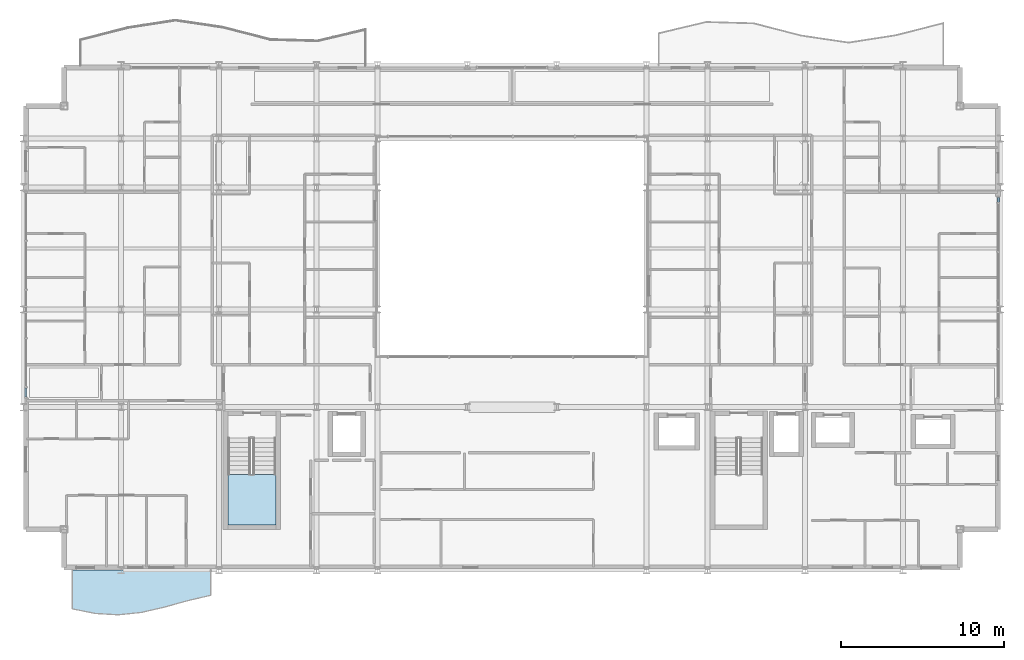
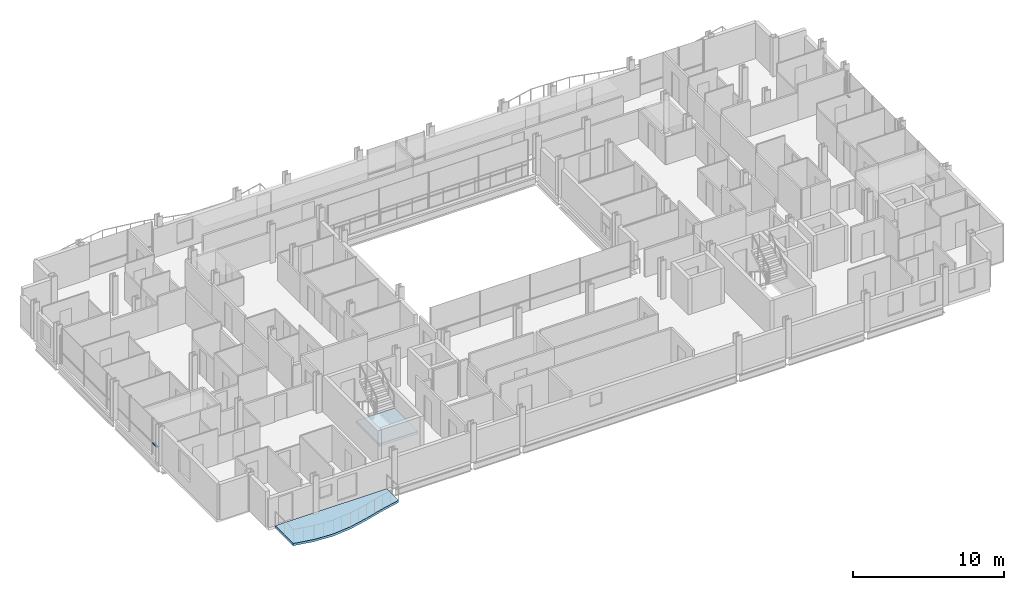
# One storey, part 25 of 41: 2 members, 2 slabs, 3 elements without a shape of their own.
"""IFC4 building model written with IfcOpenShell, lengths in metres."""

from ifc_helpers import new_model, si_unit, direction, frame, origin, origin_2d, place, context, subcontext, project, spatial, polyline, hollow_rectangle, outline, extrude, material, layer, layer_set, material_profile, profile_set, type_object, element, aggregate, save


model = new_model("IFC4")

# Units and contexts
model_context = context("Model", 3, precision=1e-05, world=origin(), true_north=direction((0.0, 1.0)))
body_context = subcontext(model_context, "Body", "Model", "MODEL_VIEW")
ifc_project = project(units=[si_unit("LENGTHUNIT", "METRE"), si_unit("AREAUNIT", "SQUARE_METRE"), si_unit("VOLUMEUNIT", "CUBIC_METRE"), si_unit("PLANEANGLEUNIT", "RADIAN"), si_unit("MASSUNIT", "GRAM", prefix="KILO")], contexts=[model_context])

# Site, building, storey
site_placement = place(None, origin())
site = spatial("IfcSite", under=ifc_project, at=site_placement, CompositionType="ELEMENT")
building_placement = place(site_placement, origin())
building = spatial("IfcBuilding", under=site, at=building_placement, Name="Brevholm Reach", CompositionType="ELEMENT")
storey_placement = place(building_placement, frame((0.0, 0.0, 68.300048828125)))
storey = spatial("IfcBuildingStorey", under=building, at=storey_placement, Name="L19", CompositionType="ELEMENT", Elevation=68.300048828125)

# Curtain wall, member
ifc_material_1 = material(Name="Dark Anodised Aluminium 6063-T6 and Solar-Control Glass", Category="aluminium")
ifc_layer_1 = layer(ifc_material_1, 0.14990234375)
ifc_layer_set_1 = layer_set([ifc_layer_1], Name="Dark Anodised Aluminium 6063-T6 and Solar-Control Glass")
curtain_wall_type = type_object("IfcCurtainWallType", Name="CW-01", PredefinedType="NOTDEFINED", material=ifc_layer_set_1)
curtain_wall_1_placement = place(storey_placement, origin())
curtain_wall_1 = element("IfcCurtainWall", 1, at=curtain_wall_1_placement, inside=storey, type_object=curtain_wall_type, Name="L19 Curtain Wall CW-01", PredefinedType="NOTDEFINED")
ifc_material_2 = material(Name="Dark Anodised Aluminium 6063-T6", Category="aluminium")
ifc_material_profile = material_profile(ifc_material_2, hollow_rectangle(XDim=0.06494140625, YDim=0.14990234375, WallThickness=0.0048828125, InnerFilletRadius=0.0048828125, OuterFilletRadius=0.010009765625, at=origin_2d()), Name="RHS 150x65x5")
ifc_profile_set = profile_set([ifc_material_profile], Name="Dark Anodised Aluminium 6063-T6")
member_type = type_object("IfcMemberType", Name="CWT-150", PredefinedType="NOTDEFINED", material=ifc_profile_set)
member_1_placement = place(storey_placement, frame((0.14990234375, 11.1875, 0.89990234375), z_axis=(0.0, -1.0, 0.0), x_axis=(0.0, 0.0, 1.0)))
member_1 = element("IfcMember", 2, at=member_1_placement, type_object=member_type, Name="CT-150 Transom 5.1", ObjectType="TRANSOM", PredefinedType="USERDEFINED", context=body_context, shape_type="SweptSolid", body=[
    extrude(hollow_rectangle(XDim=0.06494140625, YDim=0.14990234375, WallThickness=0.0048828125, InnerFilletRadius=0.0048828125, OuterFilletRadius=0.010009765625, at=origin_2d()), origin(), (0.0, 0.0, 1.0), 0.572509765625),
])
aggregate(curtain_wall_1, [member_1])

curtain_wall_2_placement = place(storey_placement, origin())
curtain_wall_2 = element("IfcCurtainWall", 3, at=curtain_wall_2_placement, inside=storey, type_object=curtain_wall_type, Name="L19 Curtain Wall CW-01", PredefinedType="NOTDEFINED")
member_2_placement = place(storey_placement, frame((59.85009765625, 22.58251953125, 0.89990234375), z_axis=(0.0, 1.0, 0.0), x_axis=(0.0, 0.0, 1.0)))
member_2 = element("IfcMember", 4, at=member_2_placement, type_object=member_type, Name="CT-150 Transom 5.1", ObjectType="TRANSOM", PredefinedType="USERDEFINED", context=body_context, shape_type="SweptSolid", body=[
    extrude(hollow_rectangle(XDim=0.06494140625, YDim=0.14990234375, WallThickness=0.0048828125, InnerFilletRadius=0.0048828125, OuterFilletRadius=0.010009765625, at=origin_2d()), origin(), (0.0, 0.0, 1.0), 0.302490234375),
])
aggregate(curtain_wall_2, [member_2])

# Slab
ifc_material_3 = material(Name="Precast Concrete C40/50", Category="concrete")
ifc_layer_2 = layer(ifc_material_3, 0.179931640625)
ifc_layer_set_2 = layer_set([ifc_layer_2], Name="Precast Concrete C40/50")
slab_type_1 = type_object("IfcSlabType", Name="SLB-BAL-180", PredefinedType="FLOOR", material=ifc_layer_set_2)
slab_1_placement = place(storey_placement, frame((0.0, 0.0, -0.179931640625)))
element("IfcSlab", 5, at=slab_1_placement, inside=storey, type_object=slab_type_1, Name="L19 Rippling External Balcony SW", PredefinedType="FLOOR", context=body_context, shape_type="SweptSolid", body=[
    extrude(outline(polyline([(3.0, -2.38134765625), (4.416748046875, -2.665283203125), (5.833251953125, -2.747314453125), (7.25, -2.599609375), (8.666748046875, -2.2724609375), (10.083251953125, -1.877685546875), (11.5, -1.55029296875), (11.5, 0.0), (3.0, 0.0), (3.0, -2.38134765625)])), origin(), (0.0, 0.0, 1.0), 0.179931640625),
])

# Stair, slab
ifc_material_4 = material(Name="Precast Concrete C40/50", Category="concrete")
stair_type = type_object("IfcStairType", Name="STR-ESC-1400", PredefinedType="DOUBLE_RETURN_STAIR", material=ifc_material_4)
stair_placement = place(storey_placement, origin())
stair = element("IfcStair", 6, at=stair_placement, inside=storey, type_object=stair_type, Name="L19 ST-1", PredefinedType="DOUBLE_RETURN_STAIR")
ifc_material_5 = material(Name="Concrete C40/50", Category="concrete")
ifc_layer_3 = layer(ifc_material_5, 0.199951171875)
ifc_layer_set_3 = layer_set([ifc_layer_3], Name="Concrete C40/50")
slab_type_2 = type_object("IfcSlabType", Name="SLB-LND-200", PredefinedType="LANDING", material=ifc_layer_set_3)
slab_2_placement = place(storey_placement, frame((0.0, 0.0, 1.349853515625)))
slab_2 = element("IfcSlab", 7, at=slab_2_placement, type_object=slab_type_2, Name="ST-1 landing 1", PredefinedType="LANDING", context=body_context, shape_type="SweptSolid", body=[
    extrude(outline(polyline([(12.550048828125, 5.860107421875), (12.550048828125, 2.780029296875), (15.5, 2.780029296875), (15.5, 5.860107421875), (12.550048828125, 5.860107421875)])), origin(), (0.0, 0.0, 1.0), 0.2001953125),
])
aggregate(stair, [slab_2])

save(model, "model.ifc")
